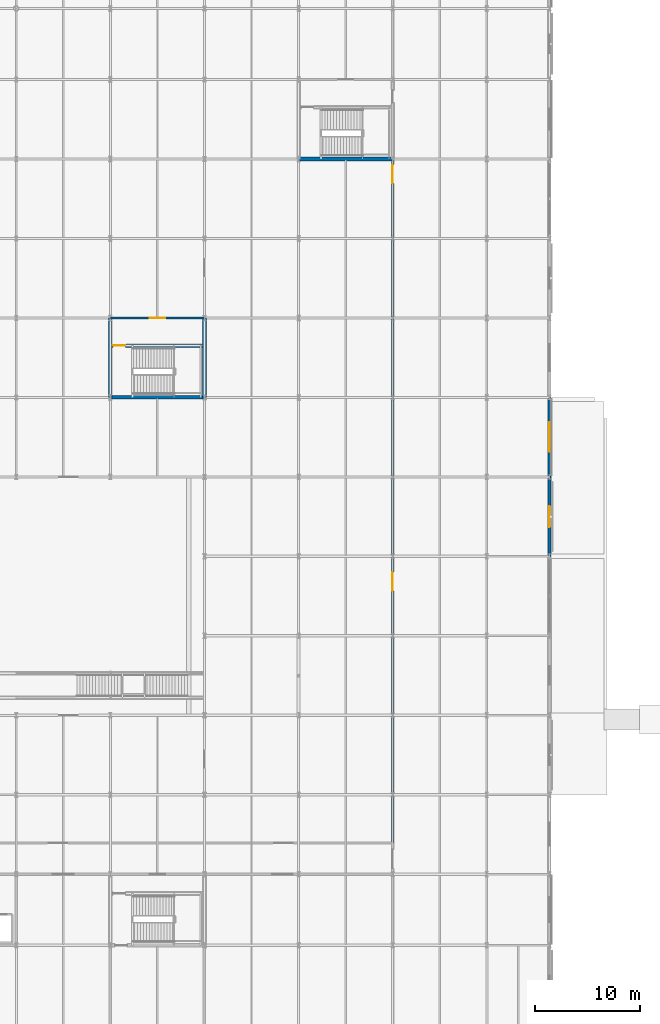
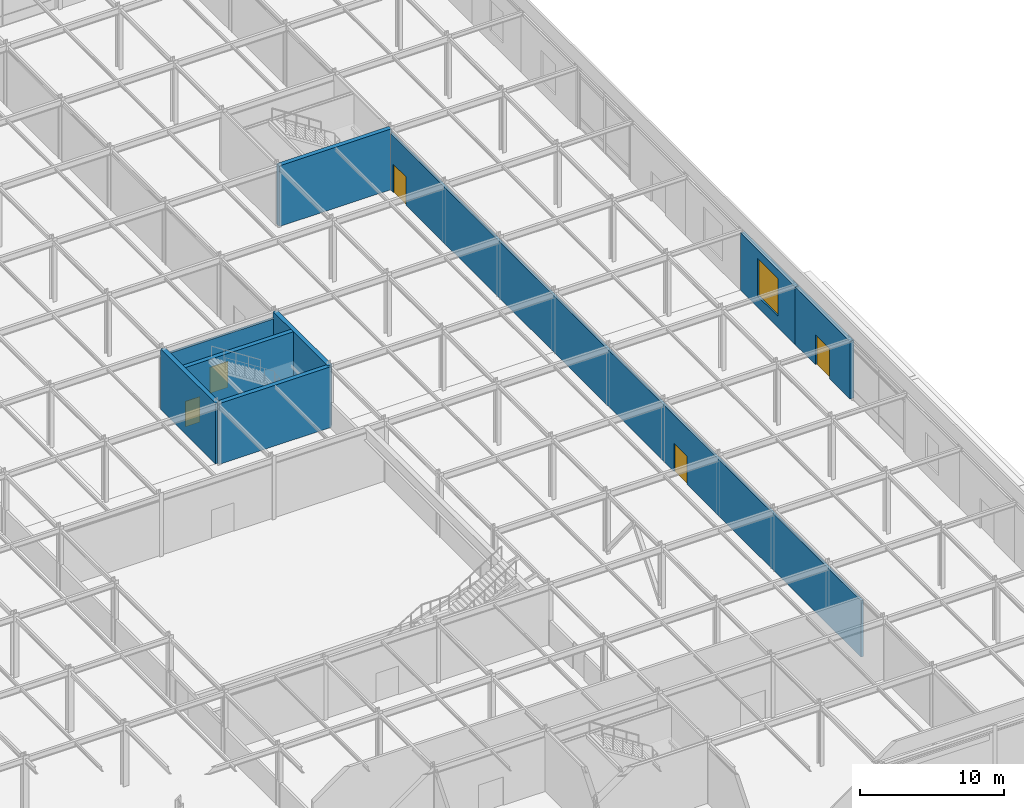
# One storey, part 70 of 89: 9 walls, 5 doors, 1 window, 6 openings.
"""IFC4 building model written with IfcOpenShell, lengths in metres."""

from ifc_helpers import new_model, si_unit, direction, frame, frame_2d, origin, place, context, subcontext, project, spatial, rectangle, extrude, material, layer, layer_set, type_object, element, fill, save


model = new_model("IFC4")

# Units and contexts
model_context = context("Model", 3, precision=1e-05, world=origin(), true_north=direction((0.0, 1.0)))
body_context = subcontext(model_context, "Body", "Model", "MODEL_VIEW")
ifc_project = project(units=[si_unit("LENGTHUNIT", "METRE"), si_unit("AREAUNIT", "SQUARE_METRE"), si_unit("VOLUMEUNIT", "CUBIC_METRE"), si_unit("PLANEANGLEUNIT", "RADIAN"), si_unit("MASSUNIT", "GRAM", prefix="KILO")], contexts=[model_context])

# Site, building, storey
site_placement = place(None, origin())
site = spatial("IfcSite", under=ifc_project, at=site_placement, CompositionType="ELEMENT")
building_placement = place(site_placement, origin())
building = spatial("IfcBuilding", under=site, at=building_placement, Name="Shalkamar Park Central Library", CompositionType="ELEMENT")
storey_placement = place(building_placement, origin())
storey = spatial("IfcBuildingStorey", under=building, at=storey_placement, Name="L01", CompositionType="ELEMENT", Elevation=0.0)

# Wall, opening, door
ifc_material_1 = material(Name="Fire-rated corridor partition wall", Category="masonry")
ifc_layer_1 = layer(ifc_material_1, 0.199951171875)
ifc_layer_set_1 = layer_set([ifc_layer_1], Name="CorridorFireWall_200")
wall_type_1 = type_object("IfcWallType", Name="Corridor Fire Wall 200", PredefinedType="PARTITIONING", material=ifc_layer_set_1)
wall_1_placement = place(storey_placement, frame((246.0, 308.39990234375, 0.0), z_axis=(0.0, 0.0, 1.0), x_axis=(1.0, 0.0, 0.0)))
wall_1 = element("IfcWall", 1, at=wall_1_placement, inside=storey, type_object=wall_type_1, Name="CORE-P4 Vestibule North Wall (L01)", PredefinedType="PARTITIONING", context=body_context, shape_type="SweptSolid", body=[
    extrude(rectangle(XDim=9.0, YDim=0.199951171875, at=frame_2d((4.5, 0.0))), origin(), (0.0, 0.0, 1.0), 4.587890625),
])
opening_1_placement = place(wall_1_placement, frame((3.77490234375, 0.0, 0.0)))
opening_1 = element("IfcOpeningElement", 2, at=opening_1_placement, cuts=wall_1, Name="Opening DR-ST-P4-L01-VEST", PredefinedType="OPENING", context=body_context, shape_type="SweptSolid", body=[
    extrude(rectangle(XDim=1.449951171875, YDim=2.199951171875, at=frame_2d((0.72509765625, 1.10009765625))), frame((0.0, 0.11474609375, 0.0), z_axis=(0.0, -1.0, 0.0), x_axis=(1.0, 0.0, 0.0)), (0.0, 0.0, 1.0), 0.229736328125),
])
ifc_material_2 = material(Name="Steel S355", Category="steel")
door_type_1 = type_object("IfcDoorType", Name="Stair Vestibule Door 1450x2200", OperationType="DOUBLE_DOOR_SINGLE_SWING", PredefinedType="DOOR", material=ifc_material_2)
door_1_placement = place(opening_1_placement, origin())
door_1 = element("IfcDoor", 3, at=door_1_placement, inside=storey, type_object=door_type_1, Name="Protected Stair ST-P4 Vestibule Door (L01)", OperationType="DOUBLE_DOOR_SINGLE_SWING", OverallHeight=2.199951171875, OverallWidth=1.449951171875, PredefinedType="DOOR", context=body_context, shape_type="SweptSolid", body=[
    extrude(rectangle(XDim=1.449951171875, YDim=2.199951171875, at=frame_2d((0.72509765625, 1.10009765625))), frame((0.0, 0.02490234375, 0.0), z_axis=(0.0, -1.0, 0.0), x_axis=(1.0, 0.0, 0.0)), (0.0, 0.0, 1.0), 0.050048828125),
])
fill(opening_1, door_1)

# Wall, openings, doors
wall_2_placement = place(storey_placement, frame((273.0, 258.199951171875, 0.0), z_axis=(0.0, 0.0, 1.0), x_axis=(0.0, 1.0, 0.0)))
wall_2 = element("IfcWall", 4, at=wall_2_placement, inside=storey, type_object=wall_type_1, Name="Interior Partition WL-INT-L01-035-S1", PredefinedType="PARTITIONING", context=body_context, shape_type="SweptSolid", body=[
    extrude(rectangle(XDim=65.400146484375, YDim=0.199951171875, at=frame_2d((32.7001953125, 0.0))), origin(), (0.0, 0.0, 1.0), 4.778076171875),
])
opening_2_placement = place(wall_2_placement, frame((24.10009765625, 0.0, 0.0)))
opening_2 = element("IfcOpeningElement", 5, at=opening_2_placement, cuts=wall_2, Name="Opening DR-L01-025", PredefinedType="OPENING", context=body_context, shape_type="SweptSolid", body=[
    extrude(rectangle(XDim=1.800048828125, YDim=2.39990234375, at=frame_2d((0.89990234375, 1.199951171875))), frame((0.0, 0.11474609375, 0.0), z_axis=(0.0, -1.0, 0.0), x_axis=(1.0, 0.0, 0.0)), (0.0, 0.0, 1.0), 0.229736328125),
])
opening_3_placement = place(wall_2_placement, frame((63.06005859375, 0.0, 0.0)))
opening_3 = element("IfcOpeningElement", 6, at=opening_3_placement, cuts=wall_2, Name="Opening DR-L01-026", PredefinedType="OPENING", context=body_context, shape_type="SweptSolid", body=[
    extrude(rectangle(XDim=1.800048828125, YDim=2.39990234375, at=frame_2d((0.89990234375, 1.199951171875))), frame((0.0, 0.11474609375, 0.0), z_axis=(0.0, -1.0, 0.0), x_axis=(1.0, 0.0, 0.0)), (0.0, 0.0, 1.0), 0.229736328125),
])
door_type_2 = type_object("IfcDoorType", Name="Interior Door Double 1800x2400", OperationType="DOUBLE_DOOR_SINGLE_SWING", PredefinedType="DOOR", material=ifc_material_2)
door_2_placement = place(opening_2_placement, frame((1.800048828125, 0.0, 0.0), z_axis=(0.0, 0.0, 1.0), x_axis=(-1.0, 0.0, 0.0)))
door_2 = element("IfcDoor", 7, at=door_2_placement, inside=storey, type_object=door_type_2, Name="East Stacks Concourse Door", OperationType="DOUBLE_DOOR_SINGLE_SWING", OverallHeight=2.39990234375, OverallWidth=1.800048828125, PredefinedType="DOOR", context=body_context, shape_type="SweptSolid", body=[
    extrude(rectangle(XDim=1.800048828125, YDim=2.39990234375, at=frame_2d((0.89990234375, 1.199951171875))), frame((0.0, 0.02490234375, 0.0), z_axis=(0.0, -1.0, 0.0), x_axis=(1.0, 0.0, 0.0)), (0.0, 0.0, 1.0), 0.050048828125),
])
fill(opening_2, door_2)
door_3_placement = place(opening_3_placement, frame((1.800048828125, 0.0, 0.0), z_axis=(0.0, 0.0, 1.0), x_axis=(-1.0, 0.0, 0.0)))
door_3 = element("IfcDoor", 8, at=door_3_placement, inside=storey, type_object=door_type_2, Name="East Reading Hall Exit Door", OperationType="DOUBLE_DOOR_SINGLE_SWING", OverallHeight=2.39990234375, OverallWidth=1.800048828125, PredefinedType="DOOR", context=body_context, shape_type="SweptSolid", body=[
    extrude(rectangle(XDim=1.800048828125, YDim=2.39990234375, at=frame_2d((0.89990234375, 1.199951171875))), frame((0.0, 0.02490234375, 0.0), z_axis=(0.0, -1.0, 0.0), x_axis=(1.0, 0.0, 0.0)), (0.0, 0.0, 1.0), 0.050048828125),
])
fill(opening_3, door_3)

# Wall, opening, door
ifc_material_3 = material(Name="Concrete C35/45 precast", Category="concrete")
ifc_layer_2 = layer(ifc_material_3, 0.320068359375)
ifc_layer_set_2 = layer_set([ifc_layer_2], Name="Concrete C35/45 precast")
wall_type_2 = type_object("IfcWallType", Name="Granite Plinth External Wall 320", PredefinedType="SOLIDWALL", material=ifc_layer_set_2)
wall_3_placement = place(storey_placement, frame((288.0, 285.60595703125, 0.0), z_axis=(0.0, 0.0, 1.0), x_axis=(0.0, 1.0, 0.0)))
wall_3 = element("IfcWall", 9, at=wall_3_placement, inside=storey, type_object=wall_type_2, Name="Exterior Facade Wall WL-EXT-L01-047", PredefinedType="SOLIDWALL", context=body_context, shape_type="SweptSolid", body=[
    extrude(rectangle(XDim=7.588134765625, YDim=0.320068359375, at=frame_2d((3.7939453125, 0.0))), origin(), (0.0, 0.0, 1.0), 4.8779296875),
])
opening_4_placement = place(wall_3_placement, frame((2.7939453125, 0.0, 0.0)))
opening_4 = element("IfcOpeningElement", 10, at=opening_4_placement, cuts=wall_3, Name="Opening ED-L01-030", PredefinedType="OPENING", context=body_context, shape_type="SweptSolid", body=[
    extrude(rectangle(XDim=2.0, YDim=2.550048828125, at=frame_2d((1.0, 1.27490234375))), frame((0.0, 0.1748046875, 0.0), z_axis=(0.0, -1.0, 0.0), x_axis=(1.0, 0.0, 0.0)), (0.0, 0.0, 1.0), 0.349853515625),
])
ifc_material_4 = material(Name="Thermally broken insulated aluminium and glazed door", Category="aluminium")
door_type_3 = type_object("IfcDoorType", Name="Plaza Exit Portal 2000x2550", OperationType="DOUBLE_DOOR_SINGLE_SWING", PredefinedType="DOOR", material=ifc_material_4)
door_4_placement = place(opening_4_placement, frame((2.0, 0.0, 0.0), z_axis=(0.0, 0.0, 1.0), x_axis=(-1.0, 0.0, 0.0)))
door_4 = element("IfcDoor", 11, at=door_4_placement, inside=storey, type_object=door_type_3, Name="East Park Promenade Entrance Portal G", OperationType="DOUBLE_DOOR_SINGLE_SWING", OverallHeight=2.550048828125, OverallWidth=2.0, PredefinedType="DOOR", context=body_context, shape_type="SweptSolid", body=[
    extrude(rectangle(XDim=2.0, YDim=2.550048828125, at=frame_2d((1.0, 1.27490234375))), frame((0.0, 0.02490234375, 0.0), z_axis=(0.0, -1.0, 0.0), x_axis=(1.0, 0.0, 0.0)), (0.0, 0.0, 1.0), 0.050048828125),
])
fill(opening_4, door_4)

# Wall, opening, window
wall_4_placement = place(storey_placement, frame((288.0, 293.2060546875, 0.0), z_axis=(0.0, 0.0, 1.0), x_axis=(0.0, 1.0, 0.0)))
wall_4 = element("IfcWall", 12, at=wall_4_placement, inside=storey, type_object=wall_type_2, Name="Exterior Facade Wall WL-EXT-L01-048", PredefinedType="SOLIDWALL", context=body_context, shape_type="SweptSolid", body=[
    extrude(rectangle(XDim=7.587890625, YDim=0.320068359375, at=frame_2d((3.7939453125, 0.0))), origin(), (0.0, 0.0, 1.0), 4.8779296875),
])
opening_5_placement = place(wall_4_placement, frame((2.39404296875, 0.0, 0.949951171875)))
opening_5 = element("IfcOpeningElement", 13, at=opening_5_placement, cuts=wall_4, Name="Opening WN-01", PredefinedType="OPENING", context=body_context, shape_type="SweptSolid", body=[
    extrude(rectangle(XDim=2.800048828125, YDim=3.199951171875, at=frame_2d((1.39990234375, 1.60009765625))), frame((0.0, 0.1748046875, 0.0), z_axis=(0.0, -1.0, 0.0), x_axis=(1.0, 0.0, 0.0)), (0.0, 0.0, 1.0), 0.349853515625),
])
ifc_material_5 = material(Name="Thermally broken aluminium and triple low-e glass", Category="glass")
window_type = type_object("IfcWindowType", Name="Podium Window 2800x3200", PartitioningType="DOUBLE_PANEL_VERTICAL", PredefinedType="WINDOW", material=ifc_material_5)
window_placement = place(opening_5_placement, origin())
window = element("IfcWindow", 14, at=window_placement, inside=storey, type_object=window_type, Name="Facade Window WN-L01-018", OverallHeight=3.199951171875, OverallWidth=2.800048828125, PartitioningType="DOUBLE_PANEL_VERTICAL", PredefinedType="WINDOW", context=body_context, shape_type="SweptSolid", body=[
    extrude(rectangle(XDim=2.800048828125, YDim=3.199951171875, at=frame_2d((1.39990234375, 1.60009765625))), frame((0.0, 0.030029296875, 0.0), z_axis=(0.0, -1.0, 0.0), x_axis=(1.0, 0.0, 0.0)), (0.0, 0.0, 1.0), 0.06005859375),
])
fill(opening_5, window)

# Walls
ifc_material_6 = material(Name="Concrete C40/50", Category="concrete")
ifc_layer_3 = layer(ifc_material_6, 0.35009765625)
ifc_layer_set_3 = layer_set([ifc_layer_3], Name="Concrete C40/50")
wall_type_3 = type_object("IfcWallType", Name="Podium Core Shear Wall 350", PredefinedType="SHEAR", material=ifc_layer_set_3)
wall_5_placement = place(storey_placement, frame((246.0, 300.800048828125, 0.0), z_axis=(0.0, 0.0, 1.0), x_axis=(1.0, 0.0, 0.0)))
element("IfcWall", 15, at=wall_5_placement, inside=storey, type_object=wall_type_3, Name="CORE-P4 South Shear Wall (L01)", PredefinedType="SHEAR", context=body_context, shape_type="SweptSolid", body=[
    extrude(rectangle(XDim=9.0, YDim=0.35009765625, at=frame_2d((4.5, 0.0))), origin(), (0.0, 0.0, 1.0), 5.139892578125),
])
for number, where, z_axis, x_axis, name in (
    (16, (246.0, 300.800048828125, 0.0), (0.0, 0.0, 1.0), (0.0, 1.0, 0.0), "CORE-P4 West Shear Wall (L01)"),
    (17, (255.0, 300.800048828125, 0.0), (0.0, 0.0, 1.0), (0.0, 1.0, 0.0), "CORE-P4 East Shear Wall (L01)"),
):
    element("IfcWall", number, at=place(storey_placement, frame(where, z_axis=z_axis, x_axis=x_axis)), inside=storey, type_object=wall_type_3, Name=name, PredefinedType="SHEAR", context=body_context, shape_type="SweptSolid", body=[
        extrude(rectangle(XDim=7.599853515625, YDim=0.35009765625, at=frame_2d((3.7998046875, 0.0))), origin(), (0.0, 0.0, 1.0), 5.139892578125),
    ])

# Wall, opening, door
wall_6_placement = place(storey_placement, frame((246.0, 305.75, 0.0), z_axis=(0.0, 0.0, 1.0), x_axis=(1.0, 0.0, 0.0)))
wall_6 = element("IfcWall", 18, at=wall_6_placement, inside=storey, type_object=wall_type_3, Name="CORE-P4 Stairwell Wall (L01)", PredefinedType="SHEAR", context=body_context, shape_type="SweptSolid", body=[
    extrude(rectangle(XDim=9.0, YDim=0.35009765625, at=frame_2d((4.5, 0.0))), origin(), (0.0, 0.0, 1.0), 5.139892578125),
])
opening_6_placement = place(wall_6_placement, frame((0.27490234375, 0.0, 0.0)))
opening_6 = element("IfcOpeningElement", 19, at=opening_6_placement, cuts=wall_6, Name="Opening DR-ST-P4-L01-IN", PredefinedType="OPENING", context=body_context, shape_type="SweptSolid", body=[
    extrude(rectangle(XDim=1.14990234375, YDim=2.14990234375, at=frame_2d((0.574951171875, 1.074951171875))), frame((0.0, 0.18994140625, 0.0), z_axis=(0.0, -1.0, 0.0), x_axis=(1.0, 0.0, 0.0)), (0.0, 0.0, 1.0), 0.3798828125),
])
door_type_4 = type_object("IfcDoorType", Name="Stair Core Exit Door 1150x2150", OperationType="NOTDEFINED", PredefinedType="DOOR", material=ifc_material_2)
door_5_placement = place(opening_6_placement, origin())
door_5 = element("IfcDoor", 20, at=door_5_placement, inside=storey, type_object=door_type_4, Name="Protected Stair ST-P4 Exit Door (L01)", OperationType="SINGLE_SWING_LEFT", OverallHeight=2.14990234375, OverallWidth=1.14990234375, PredefinedType="DOOR", context=body_context, shape_type="SweptSolid", body=[
    extrude(rectangle(XDim=1.14990234375, YDim=2.14990234375, at=frame_2d((0.574951171875, 1.074951171875))), frame((0.0, 0.02490234375, 0.0), z_axis=(0.0, -1.0, 0.0), x_axis=(1.0, 0.0, 0.0)), (0.0, 0.0, 1.0), 0.050048828125),
])
fill(opening_6, door_5)

# Wall
wall_7_placement = place(storey_placement, frame((264.0, 323.60009765625, 0.0), z_axis=(0.0, 0.0, 1.0), x_axis=(1.0, 0.0, 0.0)))
element("IfcWall", 21, at=wall_7_placement, inside=storey, type_object=wall_type_3, Name="CORE-P6 South Shear Wall (L01)", PredefinedType="SHEAR", context=body_context, shape_type="SweptSolid", body=[
    extrude(rectangle(XDim=9.0, YDim=0.35009765625, at=frame_2d((4.5, 0.0))), origin(), (0.0, 0.0, 1.0), 5.139892578125),
])

save(model, "model.ifc")
